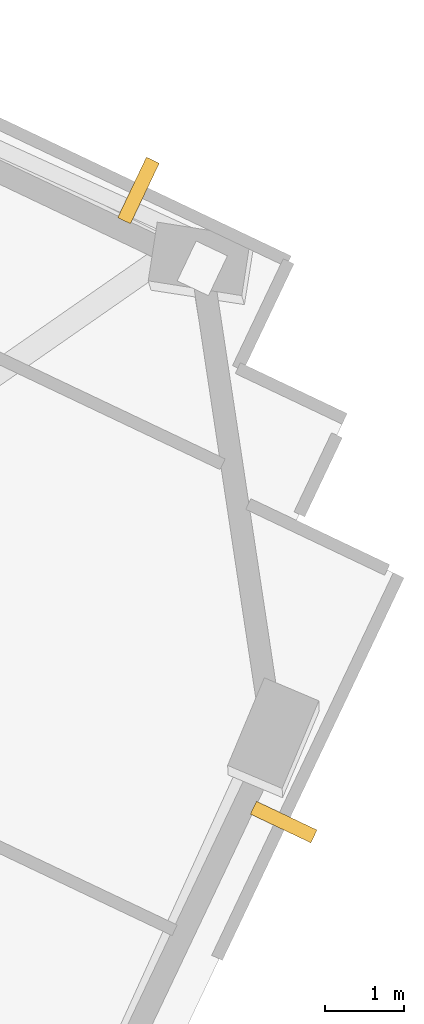
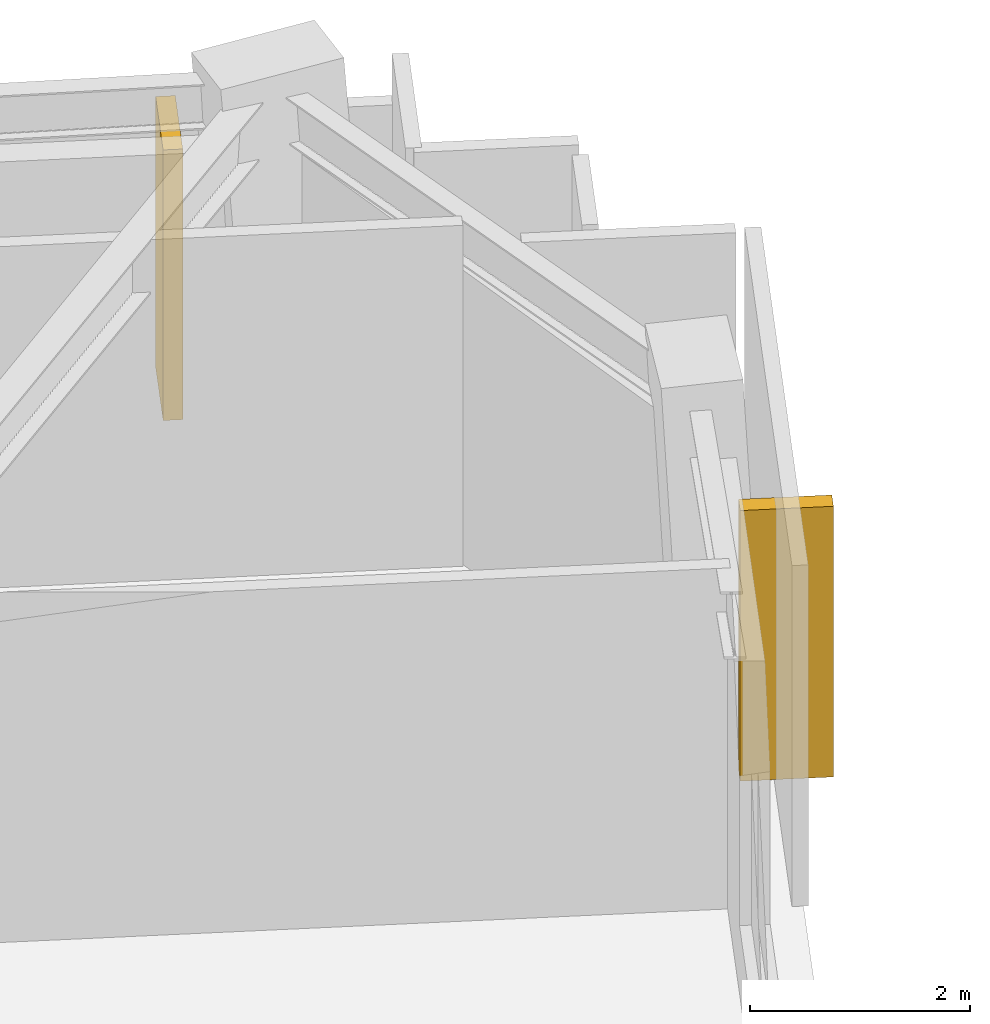
# One storey, part 13 of 13: 2 shading devices.
"""IFC4 building model written with IfcOpenShell, lengths in metres."""

from ifc_helpers import new_model, si_unit, direction, frame, origin, origin_2d, place, context, subcontext, project, spatial, rectangle, extrude, material, type_object, element, save


model = new_model("IFC4")

# Units and contexts
model_context = context("Model", 3, precision=1e-05, world=origin(), true_north=direction((0.0, 1.0)))
body_context = subcontext(model_context, "Body", "Model", "MODEL_VIEW")
ifc_project = project(units=[si_unit("LENGTHUNIT", "METRE"), si_unit("AREAUNIT", "SQUARE_METRE"), si_unit("VOLUMEUNIT", "CUBIC_METRE"), si_unit("PLANEANGLEUNIT", "RADIAN"), si_unit("MASSUNIT", "GRAM", prefix="KILO")], contexts=[model_context])

# Site, building, storey
site_placement = place(None, origin())
site = spatial("IfcSite", under=ifc_project, at=site_placement, CompositionType="ELEMENT")
building_placement = place(site_placement, origin())
building = spatial("IfcBuilding", under=site, at=building_placement, Name="Gaonmaruhae Medical Tower", CompositionType="ELEMENT")
storey_placement = place(building_placement, frame((0.0, 0.0, 300.60009765625)))
storey = spatial("IfcBuildingStorey", under=building, at=storey_placement, Name="L72", CompositionType="ELEMENT", Elevation=300.60009765625)

# Shading devices
ifc_material = material(Name="Pigmented coral precast concrete C45/55", Category="concrete")
shading_device_type = type_object("IfcShadingDeviceType", Name="SD-FIN1 Tower Vertical Coral Precast Shading Fin", PredefinedType="USERDEFINED", material=ifc_material)
for number, where, z_axis, x_axis, name in (
    (1, (58.8017578125, 24.731689453125, 0.13232421875), (0.0, 0.0, 1.0), (-0.428919367163, -0.903342779056, 0.0), "L72 Vertical Coral Precast Shading Fin S05"),
    (2, (56.959716796875, 32.742919921875, 0.13232421875), (0.0, 0.0, 1.0), (0.903335292863, -0.428935133403, 0.0), "L72 Vertical Coral Precast Shading Fin E01B"),
):
    element("IfcShadingDevice", number, at=place(storey_placement, frame(where, z_axis=z_axis, x_axis=x_axis)), inside=storey, type_object=shading_device_type, Name=name, ObjectType="FIN", PredefinedType="USERDEFINED", context=body_context, shape_type="SweptSolid", body=[
        extrude(rectangle(XDim=0.179931640625, YDim=0.85009765625, at=origin_2d()), origin(), (0.0, 0.0, 1.0), 3.0),
    ])

save(model, "model.ifc")
